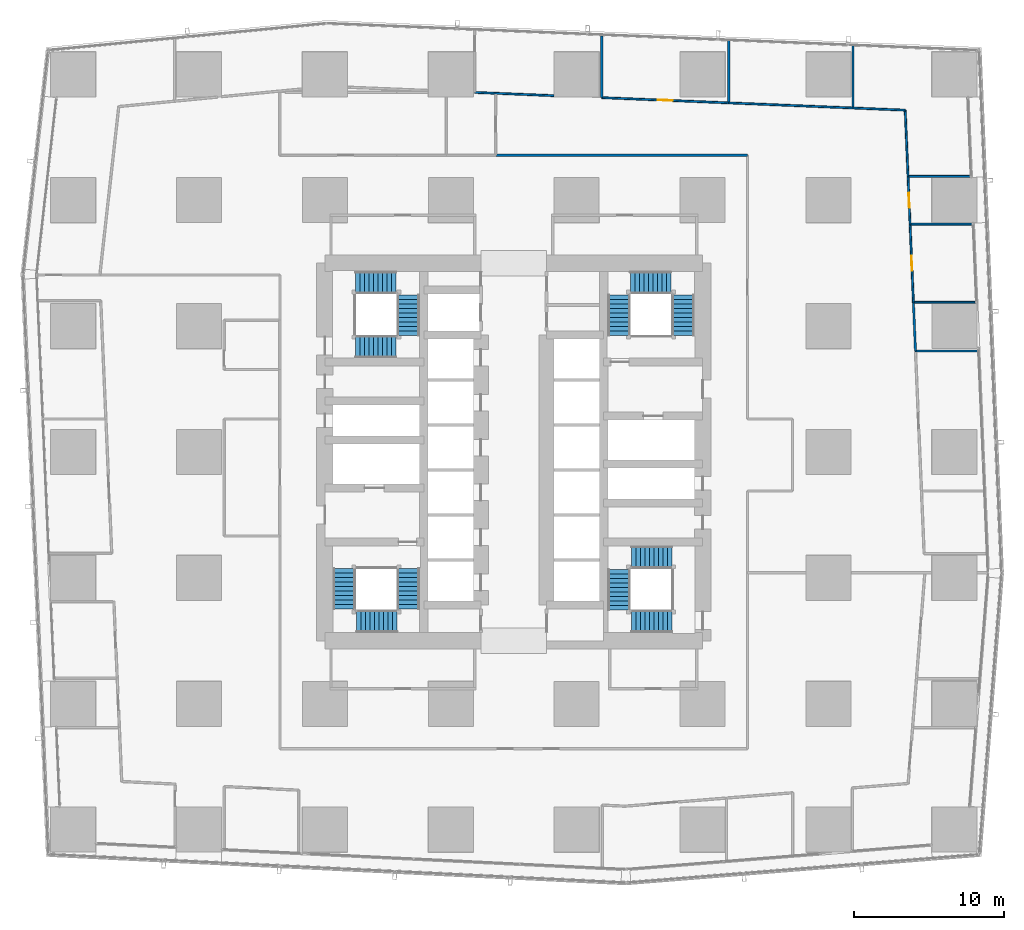
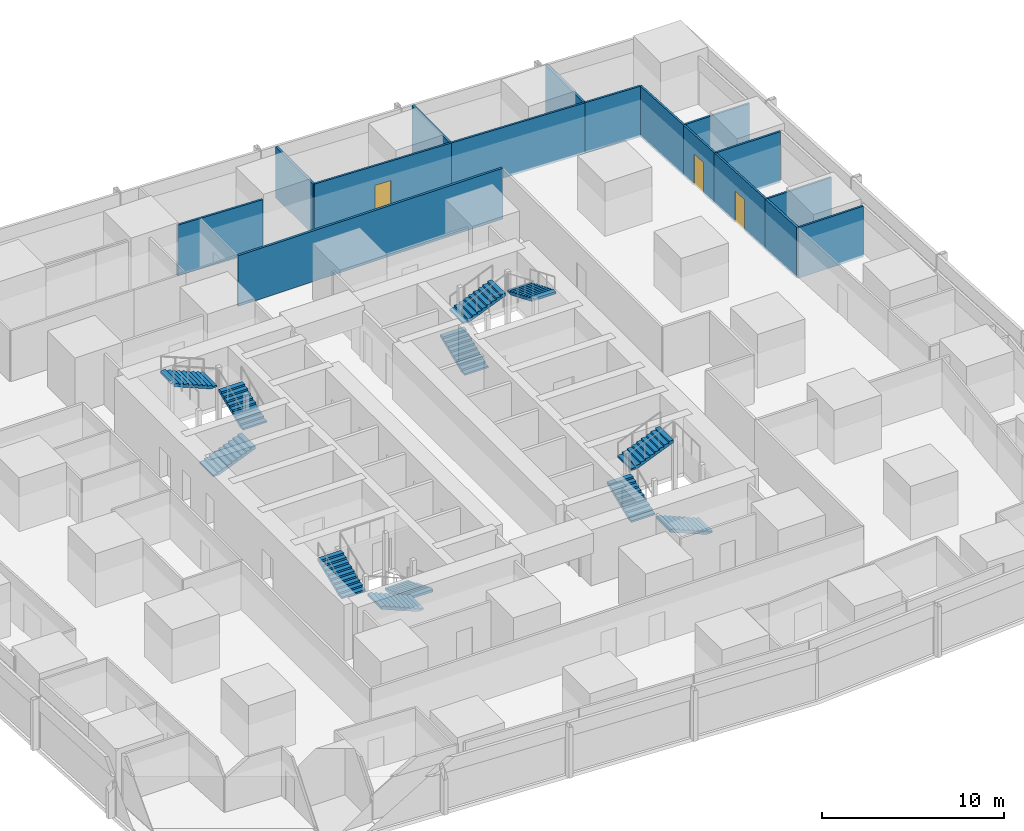
# One storey, part 35 of 44: 16 walls, 12 stair flights, 3 doors, 3 openings, 4 elements without a shape of their own.
"""IFC4 building model written with IfcOpenShell, lengths in metres."""

from ifc_helpers import new_model, si_unit, direction, frame, frame_2d, origin, place, context, subcontext, project, spatial, polyline, rectangle, outline, extrude, material, layer, layer_set, type_object, element, fill, aggregate, save


model = new_model("IFC4")

# Units and contexts
model_context = context("Model", 3, precision=1e-05, world=origin(), true_north=direction((0.0, 1.0)))
body_context = subcontext(model_context, "Body", "Model", "MODEL_VIEW")
ifc_project = project(units=[si_unit("LENGTHUNIT", "METRE"), si_unit("AREAUNIT", "SQUARE_METRE"), si_unit("VOLUMEUNIT", "CUBIC_METRE"), si_unit("PLANEANGLEUNIT", "RADIAN"), si_unit("MASSUNIT", "GRAM", prefix="KILO")], contexts=[model_context])

# Site, building, storey
site_placement = place(None, origin())
site = spatial("IfcSite", under=ifc_project, at=site_placement, CompositionType="ELEMENT")
building_placement = place(site_placement, origin())
building = spatial("IfcBuilding", under=site, at=building_placement, Name="Rekha Terrace Tower", CompositionType="ELEMENT")
storey_placement = place(building_placement, frame((0.0, 0.0, 81.64990234375)))
storey = spatial("IfcBuildingStorey", under=building, at=storey_placement, Name="L20", CompositionType="ELEMENT", Elevation=81.64990234375)

# Walls
ifc_material_1 = material(Name="Concrete block masonry, 1 hour", Category="masonry")
ifc_layer_1 = layer(ifc_material_1, 0.14990234375)
ifc_layer_set_1 = layer_set([ifc_layer_1], Name="Concrete block masonry, 1 hour")
wall_type_1 = type_object("IfcWallType", Name="WP2 150 tenancy partition", PredefinedType="PARTITIONING", material=ifc_layer_set_1)
wall_1_placement = place(storey_placement, frame((64.464111328125, 43.555908203125, 0.0), z_axis=(0.0, 0.0, 1.0), x_axis=(0.042509888652, -0.999096046117, 0.0)))
element("IfcWall", 1, at=wall_1_placement, inside=storey, type_object=wall_type_1, Name="Partition L20-O1", PredefinedType="PARTITIONING", context=body_context, shape_type="SweptSolid", body=[
    extrude(rectangle(XDim=3.221923828125, YDim=0.14990234375, at=frame_2d((1.61083984375, 0.0))), origin(), (0.0, 0.0, 1.0), 3.400146484375),
])
wall_2_placement = place(storey_placement, frame((53.39990234375, 53.39990234375, 0.0), z_axis=(0.0, 0.0, 1.0), x_axis=(-1.0, 0.0, 0.0)))
element("IfcWall", 2, at=wall_2_placement, inside=storey, type_object=wall_type_1, Name="Partition L20-O1", PredefinedType="PARTITIONING", context=body_context, shape_type="SweptSolid", body=[
    extrude(rectangle(XDim=16.7998046875, YDim=0.14990234375, at=frame_2d((8.39990234375, 0.0))), origin(), (0.0, 0.0, 1.0), 3.400146484375),
])
wall_3_placement = place(storey_placement, frame((43.672119140625, 57.239990234375, 0.0), z_axis=(0.0, 0.0, 1.0), x_axis=(0.0, 1.0, 0.0)))
element("IfcWall", 3, at=wall_3_placement, inside=storey, type_object=wall_type_1, Name="Partition L20-O1", PredefinedType="PARTITIONING", context=body_context, shape_type="SweptSolid", body=[
    extrude(rectangle(XDim=4.1240234375, YDim=0.14990234375, at=frame_2d((2.06201171875, 0.0))), origin(), (0.0, 0.0, 1.0), 3.400146484375),
])
wall_4_placement = place(storey_placement, frame((52.14404296875, 56.9541015625, 0.0), z_axis=(0.0, 0.0, 1.0), x_axis=(0.0, 1.0, 0.0)))
element("IfcWall", 4, at=wall_4_placement, inside=storey, type_object=wall_type_1, Name="Partition L20-O1", PredefinedType="PARTITIONING", context=body_context, shape_type="SweptSolid", body=[
    extrude(rectangle(XDim=4.08984375, YDim=0.14990234375, at=frame_2d((2.044921875, 0.0))), origin(), (0.0, 0.0, 1.0), 3.400146484375),
])
wall_5_placement = place(storey_placement, frame((60.43701171875, 56.612060546875, 0.0), z_axis=(0.0, 0.0, 1.0), x_axis=(0.0, 1.0, 0.0)))
element("IfcWall", 5, at=wall_5_placement, inside=storey, type_object=wall_type_1, Name="Partition L20-O1", PredefinedType="PARTITIONING", context=body_context, shape_type="SweptSolid", body=[
    extrude(rectangle(XDim=4.0908203125, YDim=0.14990234375, at=frame_2d((2.04541015625, 0.0))), origin(), (0.0, 0.0, 1.0), 3.400146484375),
])
ifc_material_2 = material(Name="Two layers of fire-rated gypsum board each side on steel studs, acoustic quilt, 1 hour", Category="steel")
ifc_layer_2 = layer(ifc_material_2, 0.125)
ifc_layer_set_2 = layer_set([ifc_layer_2], Name="Two layers of fire-rated gypsum board each side on steel studs, acoustic quilt, 1 hour")
wall_type_2 = type_object("IfcWallType", Name="WP3 125 office partition", PredefinedType="PARTITIONING", material=ifc_layer_set_2)
wall_6_placement = place(storey_placement, frame((64.60107421875, 40.3359375, 0.0), z_axis=(0.0, 0.0, 1.0), x_axis=(1.0, 0.0, 0.0)))
element("IfcWall", 6, at=wall_6_placement, inside=storey, type_object=wall_type_2, Name="Partition L20-02", PredefinedType="PARTITIONING", context=body_context, shape_type="SweptSolid", body=[
    extrude(rectangle(XDim=4.1240234375, YDim=0.125, at=frame_2d((2.06201171875, 0.0))), origin(), (0.0, 0.0, 1.0), 3.400146484375),
])

# Wall, opening, door
wall_7_placement = place(storey_placement, frame((64.464111328125, 43.556884765625, 0.0), z_axis=(0.0, 0.0, 1.0), x_axis=(-0.042868225882, 0.999080735081, 0.0)))
wall_7 = element("IfcWall", 7, at=wall_7_placement, inside=storey, type_object=wall_type_2, Name="Partition L20-04", PredefinedType="PARTITIONING", context=body_context, shape_type="SweptSolid", body=[
    extrude(rectangle(XDim=5.2509765625, YDim=0.125, at=frame_2d((2.62548828125, 0.0))), origin(), (0.0, 0.0, 1.0), 3.400146484375),
])
opening_1_placement = place(wall_7_placement, frame((2.125, 0.0, 0.0)))
opening_1 = element("IfcOpeningElement", 8, at=opening_1_placement, cuts=wall_7, Name="Opening D9", PredefinedType="OPENING", context=body_context, shape_type="SweptSolid", body=[
    extrude(rectangle(XDim=1.0, YDim=2.10009765625, at=frame_2d((0.5, 1.050048828125))), frame((0.0, 0.072509765625, 0.0), z_axis=(0.0, -1.0, 0.0), x_axis=(1.0, 0.0, 0.0)), (0.0, 0.0, 1.0), 0.14501953125),
])
ifc_material_3 = material(Name="Timber fire door", Category="wood")
door_type = type_object("IfcDoorType", Name="D9 1000x2100 office door", OperationType="SINGLE_SWING_LEFT", PredefinedType="DOOR", material=ifc_material_3)
door_1_placement = place(opening_1_placement, origin())
door_1 = element("IfcDoor", 9, at=door_1_placement, inside=storey, type_object=door_type, Name="Door office L20", OperationType="SINGLE_SWING_LEFT", OverallHeight=2.10009765625, OverallWidth=1.0, PredefinedType="DOOR", context=body_context, shape_type="SweptSolid", body=[
    extrude(rectangle(XDim=1.0, YDim=2.10009765625, at=frame_2d((0.5, 1.050048828125))), frame((0.0, 0.02490234375, 0.0), z_axis=(0.0, -1.0, 0.0), x_axis=(1.0, 0.0, 0.0)), (0.0, 0.0, 1.0), 0.050048828125),
])
fill(opening_1, door_1)

# Walls
wall_8_placement = place(storey_placement, frame((64.239013671875, 48.802978515625, 0.0), z_axis=(0.0, 0.0, 1.0), x_axis=(1.0, 0.0, 0.0)))
element("IfcWall", 10, at=wall_8_placement, inside=storey, type_object=wall_type_2, Name="Partition L20-04", PredefinedType="PARTITIONING", context=body_context, shape_type="SweptSolid", body=[
    extrude(rectangle(XDim=4.1240234375, YDim=0.125, at=frame_2d((2.06201171875, 0.0))), origin(), (0.0, 0.0, 1.0), 3.400146484375),
])
wall_9_placement = place(storey_placement, frame((68.5859375, 43.593017578125, 0.0), z_axis=(0.0, 0.0, 1.0), x_axis=(-1.0, 0.0, 0.0)))
element("IfcWall", 11, at=wall_9_placement, inside=storey, type_object=wall_type_2, Name="Partition L20-04", PredefinedType="PARTITIONING", context=body_context, shape_type="SweptSolid", body=[
    extrude(rectangle(XDim=4.06103515625, YDim=0.125, at=frame_2d((2.030517578125, 0.0))), origin(), (0.0, 0.0, 1.0), 3.400146484375),
])

# Wall, opening, door
wall_10_placement = place(storey_placement, frame((64.239013671875, 48.803955078125, 0.0), z_axis=(0.0, 0.0, 1.0), x_axis=(-0.042483490494, 0.999097168966, 0.0)))
wall_10 = element("IfcWall", 12, at=wall_10_placement, inside=storey, type_object=wall_type_2, Name="Partition L20-05", PredefinedType="PARTITIONING", context=body_context, shape_type="SweptSolid", body=[
    extrude(rectangle(XDim=3.155029296875, YDim=0.125, at=frame_2d((1.57763671875, 0.0))), origin(), (0.0, 0.0, 1.0), 3.400146484375),
])
opening_2_placement = place(wall_10_placement, frame((1.076904296875, 0.0, 0.0)))
opening_2 = element("IfcOpeningElement", 13, at=opening_2_placement, cuts=wall_10, Name="Opening D9", PredefinedType="OPENING", context=body_context, shape_type="SweptSolid", body=[
    extrude(rectangle(XDim=1.0, YDim=2.10009765625, at=frame_2d((0.5, 1.050048828125))), frame((0.0, 0.072509765625, 0.0), z_axis=(0.0, -1.0, 0.0), x_axis=(1.0, 0.0, 0.0)), (0.0, 0.0, 1.0), 0.14501953125),
])
door_2_placement = place(opening_2_placement, origin())
door_2 = element("IfcDoor", 14, at=door_2_placement, inside=storey, type_object=door_type, Name="Door office L20", OperationType="SINGLE_SWING_LEFT", OverallHeight=2.10009765625, OverallWidth=1.0, PredefinedType="DOOR", context=body_context, shape_type="SweptSolid", body=[
    extrude(rectangle(XDim=1.0, YDim=2.10009765625, at=frame_2d((0.5, 1.050048828125))), frame((0.0, 0.02490234375, 0.0), z_axis=(0.0, -1.0, 0.0), x_axis=(1.0, 0.0, 0.0)), (0.0, 0.0, 1.0), 0.050048828125),
])
fill(opening_2, door_2)

# Walls
wall_11_placement = place(storey_placement, frame((64.166015625, 51.991943359375, 0.0), z_axis=(0.0, 0.0, 1.0), x_axis=(1.0, 0.0, 0.0)))
element("IfcWall", 15, at=wall_11_placement, inside=storey, type_object=wall_type_2, Name="Partition L20-05", PredefinedType="PARTITIONING", context=body_context, shape_type="SweptSolid", body=[
    extrude(rectangle(XDim=4.06103515625, YDim=0.125, at=frame_2d((2.030517578125, 0.0))), origin(), (0.0, 0.0, 1.0), 3.400146484375),
])
wall_12_placement = place(storey_placement, frame((64.10498046875, 51.95703125, 0.0), z_axis=(0.0, 0.0, 1.0), x_axis=(-0.042654443866, 0.999089885055, 0.0)))
element("IfcWall", 16, at=wall_12_placement, inside=storey, type_object=wall_type_2, Name="Partition L20-06", PredefinedType="PARTITIONING", context=body_context, shape_type="SweptSolid", body=[
    extrude(rectangle(XDim=4.453125, YDim=0.125, at=frame_2d((2.2265625, 0.0))), origin(), (0.0, 0.0, 1.0), 3.400146484375),
])
wall_13_placement = place(storey_placement, frame((63.9150390625, 56.406005859375, 0.0), z_axis=(0.0, 0.0, 1.0), x_axis=(-0.999154106016, 0.041122651083, 0.0)))
element("IfcWall", 17, at=wall_13_placement, inside=storey, type_object=wall_type_2, Name="Partition L20-06", PredefinedType="PARTITIONING", context=body_context, shape_type="SweptSolid", body=[
    extrude(rectangle(XDim=3.47900390625, YDim=0.125, at=frame_2d((1.739501953125, 0.0))), origin(), (0.0, 0.0, 1.0), 3.400146484375),
])
wall_14_placement = place(storey_placement, frame((60.43896484375, 56.549072265625, 0.0), z_axis=(0.0, 0.0, 1.0), x_axis=(-0.999150520973, 0.041209664387, 0.0)))
element("IfcWall", 18, at=wall_14_placement, inside=storey, type_object=wall_type_2, Name="Partition L20-06", PredefinedType="PARTITIONING", context=body_context, shape_type="SweptSolid", body=[
    extrude(rectangle(XDim=8.300048828125, YDim=0.125, at=frame_2d((4.14990234375, 0.0))), origin(), (0.0, 0.0, 1.0), 3.400146484375),
])

# Wall, opening, door
wall_15_placement = place(storey_placement, frame((52.14599609375, 56.89111328125, 0.0), z_axis=(0.0, 0.0, 1.0), x_axis=(-0.999153165495, 0.041145496484, 0.0)))
wall_15 = element("IfcWall", 19, at=wall_15_placement, inside=storey, type_object=wall_type_2, Name="Partition L20-06", PredefinedType="PARTITIONING", context=body_context, shape_type="SweptSolid", body=[
    extrude(rectangle(XDim=8.47900390625, YDim=0.125, at=frame_2d((4.239501953125, 0.0))), origin(), (0.0, 0.0, 1.0), 3.400146484375),
])
opening_3_placement = place(wall_15_placement, frame((3.739990234375, 0.0, 0.0)))
opening_3 = element("IfcOpeningElement", 20, at=opening_3_placement, cuts=wall_15, Name="Opening D9", PredefinedType="OPENING", context=body_context, shape_type="SweptSolid", body=[
    extrude(rectangle(XDim=1.0, YDim=2.10009765625, at=frame_2d((0.5, 1.050048828125))), frame((0.0, 0.072509765625, 0.0), z_axis=(0.0, -1.0, 0.0), x_axis=(1.0, 0.0, 0.0)), (0.0, 0.0, 1.0), 0.14501953125),
])
door_3_placement = place(opening_3_placement, origin())
door_3 = element("IfcDoor", 21, at=door_3_placement, inside=storey, type_object=door_type, Name="Door office L20", OperationType="SINGLE_SWING_LEFT", OverallHeight=2.10009765625, OverallWidth=1.0, PredefinedType="DOOR", context=body_context, shape_type="SweptSolid", body=[
    extrude(rectangle(XDim=1.0, YDim=2.10009765625, at=frame_2d((0.5, 1.050048828125))), frame((0.0, 0.02490234375, 0.0), z_axis=(0.0, -1.0, 0.0), x_axis=(1.0, 0.0, 0.0)), (0.0, 0.0, 1.0), 0.050048828125),
])
fill(opening_3, door_3)

# Wall
wall_16_placement = place(storey_placement, frame((40.47998046875, 57.37109375, 0.0), z_axis=(0.0, 0.0, 1.0), x_axis=(-0.99914861605, 0.041255824392, 0.0)))
element("IfcWall", 22, at=wall_16_placement, inside=storey, type_object=wall_type_2, Name="Partition L20-06", PredefinedType="PARTITIONING", context=body_context, shape_type="SweptSolid", body=[
    extrude(rectangle(XDim=5.284423828125, YDim=0.125, at=frame_2d((2.64208984375, 0.0))), origin(), (0.0, 0.0, 1.0), 3.400146484375),
])

# Stair, stair flights
ifc_material_4 = material(Name="Concrete M40", Category="concrete")
stair_type = type_object("IfcStairType", Name="ST30 stair, 30 risers of 125, going 300, 1500 wide flights, 3 flights", PredefinedType="HALF_TURN_STAIR", material=ifc_material_4)
stair_1_placement = place(storey_placement, origin())
stair_1 = element("IfcStair", 23, at=stair_1_placement, inside=storey, type_object=stair_type, Name="Stair ST1 L20 to L21", PredefinedType="HALF_TURN_STAIR")
stair_flight_type = type_object("IfcStairFlightType", Name="SF10 stair flight, 10 risers of 125, going 300, 1500 wide", PredefinedType="STRAIGHT", material=ifc_material_4)
stair_flight_1_placement = place(storey_placement, frame((30.77490234375, 25.824951171875, 0.0), z_axis=(0.0, 0.0, 1.0), x_axis=(0.0, -1.0, 0.0)))
stair_flight_1 = element("IfcStairFlight", 24, at=stair_flight_1_placement, type_object=stair_flight_type, Name="ST1 flight 1", NumberOfRisers=10, NumberOfTreads=9, PredefinedType="STRAIGHT", RiserHeight=0.125, TreadLength=0.3, context=body_context, shape_type="SweptSolid", body=[
    extrude(outline(polyline([(0.0, 0.0), (0.0, 0.125), (0.300048828125, 0.125), (0.300048828125, 0.25), (0.60009765625, 0.25), (0.60009765625, 0.375), (0.89990234375, 0.375), (0.89990234375, 0.5), (1.199951171875, 0.5), (1.199951171875, 0.625), (1.5, 0.625), (1.5, 0.75), (1.800048828125, 0.75), (1.800048828125, 0.875), (2.10009765625, 0.875), (2.10009765625, 1.0), (2.39990234375, 1.0), (2.39990234375, 1.125), (2.699951171875, 1.125), (2.699951171875, 1.25), (2.699951171875, 0.962646484375), (0.3896484375, 0.0), (0.0, 0.0)])), frame((0.0, 0.75, 0.0), z_axis=(0.0, -1.0, 0.0), x_axis=(1.0, 0.0, 0.0)), (0.0, 0.0, 1.0), 1.5),
])
stair_flight_2_placement = place(storey_placement, frame((30.02490234375, 22.300048828125, 1.25), z_axis=(0.0, 0.0, 1.0), x_axis=(-1.0, 0.0, 0.0)))
stair_flight_2 = element("IfcStairFlight", 25, at=stair_flight_2_placement, type_object=stair_flight_type, Name="ST1 flight 2", NumberOfRisers=10, NumberOfTreads=9, PredefinedType="STRAIGHT", RiserHeight=0.125, TreadLength=0.3, context=body_context, shape_type="SweptSolid", body=[
    extrude(outline(polyline([(0.0, 0.0), (0.0, 0.125), (0.300048828125, 0.125), (0.300048828125, 0.25), (0.60009765625, 0.25), (0.60009765625, 0.375), (0.89990234375, 0.375), (0.89990234375, 0.5), (1.199951171875, 0.5), (1.199951171875, 0.625), (1.5, 0.625), (1.5, 0.75), (1.800048828125, 0.75), (1.800048828125, 0.875), (2.10009765625, 0.875), (2.10009765625, 1.0), (2.39990234375, 1.0), (2.39990234375, 1.125), (2.699951171875, 1.125), (2.699951171875, 1.25), (2.699951171875, 0.962646484375), (0.3896484375, 0.0), (0.0, 0.0)])), frame((0.0, 0.75, 0.0), z_axis=(0.0, -1.0, 0.0), x_axis=(1.0, 0.0, 0.0)), (0.0, 0.0, 1.0), 1.5),
])
stair_flight_3_placement = place(storey_placement, frame((26.5, 23.125, 2.5), z_axis=(0.0, 0.0, 1.0), x_axis=(0.0, 1.0, 0.0)))
stair_flight_3 = element("IfcStairFlight", 26, at=stair_flight_3_placement, type_object=stair_flight_type, Name="ST1 flight 3", NumberOfRisers=10, NumberOfTreads=9, PredefinedType="STRAIGHT", RiserHeight=0.125, TreadLength=0.3, context=body_context, shape_type="SweptSolid", body=[
    extrude(outline(polyline([(0.0, 0.0), (0.0, 0.125), (0.300048828125, 0.125), (0.300048828125, 0.25), (0.60009765625, 0.25), (0.60009765625, 0.375), (0.89990234375, 0.375), (0.89990234375, 0.5), (1.199951171875, 0.5), (1.199951171875, 0.625), (1.5, 0.625), (1.5, 0.75), (1.800048828125, 0.75), (1.800048828125, 0.875), (2.10009765625, 0.875), (2.10009765625, 1.0), (2.39990234375, 1.0), (2.39990234375, 1.125), (2.699951171875, 1.125), (2.699951171875, 1.25), (2.699951171875, 0.962646484375), (0.3896484375, 0.0), (0.0, 0.0)])), frame((0.0, 0.75, 0.0), z_axis=(0.0, -1.0, 0.0), x_axis=(1.0, 0.0, 0.0)), (0.0, 0.0, 1.0), 1.5),
])
aggregate(stair_1, [stair_flight_1, stair_flight_2, stair_flight_3])

stair_2_placement = place(storey_placement, origin())
stair_2 = element("IfcStair", 27, at=stair_2_placement, inside=storey, type_object=stair_type, Name="Stair ST2 L20 to L21", PredefinedType="HALF_TURN_STAIR")
stair_flight_4_placement = place(storey_placement, frame((44.824951171875, 41.375, 0.0), z_axis=(0.0, 0.0, 1.0), x_axis=(0.0, 1.0, 0.0)))
stair_flight_4 = element("IfcStairFlight", 28, at=stair_flight_4_placement, type_object=stair_flight_type, Name="ST2 flight 1", NumberOfRisers=10, NumberOfTreads=9, PredefinedType="STRAIGHT", RiserHeight=0.125, TreadLength=0.3, context=body_context, shape_type="SweptSolid", body=[
    extrude(outline(polyline([(0.0, 0.0), (0.0, 0.125), (0.300048828125, 0.125), (0.300048828125, 0.25), (0.60009765625, 0.25), (0.60009765625, 0.375), (0.89990234375, 0.375), (0.89990234375, 0.5), (1.199951171875, 0.5), (1.199951171875, 0.625), (1.5, 0.625), (1.5, 0.75), (1.800048828125, 0.75), (1.800048828125, 0.875), (2.10009765625, 0.875), (2.10009765625, 1.0), (2.39990234375, 1.0), (2.39990234375, 1.125), (2.699951171875, 1.125), (2.699951171875, 1.25), (2.699951171875, 0.962646484375), (0.3896484375, 0.0), (0.0, 0.0)])), frame((0.0, 0.75, 0.0), z_axis=(0.0, -1.0, 0.0), x_axis=(1.0, 0.0, 0.0)), (0.0, 0.0, 1.0), 1.5),
])
stair_flight_5_placement = place(storey_placement, frame((45.574951171875, 44.89990234375, 1.25), z_axis=(0.0, 0.0, 1.0), x_axis=(1.0, 0.0, 0.0)))
stair_flight_5 = element("IfcStairFlight", 29, at=stair_flight_5_placement, type_object=stair_flight_type, Name="ST2 flight 2", NumberOfRisers=10, NumberOfTreads=9, PredefinedType="STRAIGHT", RiserHeight=0.125, TreadLength=0.3, context=body_context, shape_type="SweptSolid", body=[
    extrude(outline(polyline([(0.0, 0.0), (0.0, 0.125), (0.300048828125, 0.125), (0.300048828125, 0.25), (0.60009765625, 0.25), (0.60009765625, 0.375), (0.89990234375, 0.375), (0.89990234375, 0.5), (1.199951171875, 0.5), (1.199951171875, 0.625), (1.5, 0.625), (1.5, 0.75), (1.800048828125, 0.75), (1.800048828125, 0.875), (2.10009765625, 0.875), (2.10009765625, 1.0), (2.39990234375, 1.0), (2.39990234375, 1.125), (2.699951171875, 1.125), (2.699951171875, 1.25), (2.699951171875, 0.962646484375), (0.3896484375, 0.0), (0.0, 0.0)])), frame((0.0, 0.75, 0.0), z_axis=(0.0, -1.0, 0.0), x_axis=(1.0, 0.0, 0.0)), (0.0, 0.0, 1.0), 1.5),
])
stair_flight_6_placement = place(storey_placement, frame((49.10009765625, 44.074951171875, 2.5), z_axis=(0.0, 0.0, 1.0), x_axis=(0.0, -1.0, 0.0)))
stair_flight_6 = element("IfcStairFlight", 30, at=stair_flight_6_placement, type_object=stair_flight_type, Name="ST2 flight 3", NumberOfRisers=10, NumberOfTreads=9, PredefinedType="STRAIGHT", RiserHeight=0.125, TreadLength=0.3, context=body_context, shape_type="SweptSolid", body=[
    extrude(outline(polyline([(0.0, 0.0), (0.0, 0.125), (0.300048828125, 0.125), (0.300048828125, 0.25), (0.60009765625, 0.25), (0.60009765625, 0.375), (0.89990234375, 0.375), (0.89990234375, 0.5), (1.199951171875, 0.5), (1.199951171875, 0.625), (1.5, 0.625), (1.5, 0.75), (1.800048828125, 0.75), (1.800048828125, 0.875), (2.10009765625, 0.875), (2.10009765625, 1.0), (2.39990234375, 1.0), (2.39990234375, 1.125), (2.699951171875, 1.125), (2.699951171875, 1.25), (2.699951171875, 0.962646484375), (0.3896484375, 0.0), (0.0, 0.0)])), frame((0.0, 0.75, 0.0), z_axis=(0.0, -1.0, 0.0), x_axis=(1.0, 0.0, 0.0)), (0.0, 0.0, 1.0), 1.5),
])
aggregate(stair_2, [stair_flight_4, stair_flight_5, stair_flight_6])

stair_3_placement = place(storey_placement, origin())
stair_3 = element("IfcStair", 31, at=stair_3_placement, inside=storey, type_object=stair_type, Name="Stair ST3 L20 to L21", PredefinedType="HALF_TURN_STAIR")
stair_flight_7_placement = place(storey_placement, frame((48.35009765625, 22.300048828125, 0.0), z_axis=(0.0, 0.0, 1.0), x_axis=(-1.0, 0.0, 0.0)))
stair_flight_7 = element("IfcStairFlight", 32, at=stair_flight_7_placement, type_object=stair_flight_type, Name="ST3 flight 1", NumberOfRisers=10, NumberOfTreads=9, PredefinedType="STRAIGHT", RiserHeight=0.125, TreadLength=0.3, context=body_context, shape_type="SweptSolid", body=[
    extrude(outline(polyline([(0.0, 0.0), (0.0, 0.125), (0.300048828125, 0.125), (0.300048828125, 0.25), (0.60009765625, 0.25), (0.60009765625, 0.375), (0.89990234375, 0.375), (0.89990234375, 0.5), (1.199951171875, 0.5), (1.199951171875, 0.625), (1.5, 0.625), (1.5, 0.75), (1.800048828125, 0.75), (1.800048828125, 0.875), (2.10009765625, 0.875), (2.10009765625, 1.0), (2.39990234375, 1.0), (2.39990234375, 1.125), (2.699951171875, 1.125), (2.699951171875, 1.25), (2.699951171875, 0.962646484375), (0.3896484375, 0.0), (0.0, 0.0)])), frame((0.0, 0.75, 0.0), z_axis=(0.0, -1.0, 0.0), x_axis=(1.0, 0.0, 0.0)), (0.0, 0.0, 1.0), 1.5),
])
stair_flight_8_placement = place(storey_placement, frame((44.824951171875, 23.050048828125, 1.25), z_axis=(0.0, 0.0, 1.0), x_axis=(0.0, 1.0, 0.0)))
stair_flight_8 = element("IfcStairFlight", 33, at=stair_flight_8_placement, type_object=stair_flight_type, Name="ST3 flight 2", NumberOfRisers=10, NumberOfTreads=9, PredefinedType="STRAIGHT", RiserHeight=0.125, TreadLength=0.3, context=body_context, shape_type="SweptSolid", body=[
    extrude(outline(polyline([(0.0, 0.0), (0.0, 0.125), (0.300048828125, 0.125), (0.300048828125, 0.25), (0.60009765625, 0.25), (0.60009765625, 0.375), (0.89990234375, 0.375), (0.89990234375, 0.5), (1.199951171875, 0.5), (1.199951171875, 0.625), (1.5, 0.625), (1.5, 0.75), (1.800048828125, 0.75), (1.800048828125, 0.875), (2.10009765625, 0.875), (2.10009765625, 1.0), (2.39990234375, 1.0), (2.39990234375, 1.125), (2.699951171875, 1.125), (2.699951171875, 1.25), (2.699951171875, 0.962646484375), (0.3896484375, 0.0), (0.0, 0.0)])), frame((0.0, 0.75, 0.0), z_axis=(0.0, -1.0, 0.0), x_axis=(1.0, 0.0, 0.0)), (0.0, 0.0, 1.0), 1.5),
])
stair_flight_9_placement = place(storey_placement, frame((45.64990234375, 26.574951171875, 2.5), z_axis=(0.0, 0.0, 1.0), x_axis=(1.0, 0.0, 0.0)))
stair_flight_9 = element("IfcStairFlight", 34, at=stair_flight_9_placement, type_object=stair_flight_type, Name="ST3 flight 3", NumberOfRisers=10, NumberOfTreads=9, PredefinedType="STRAIGHT", RiserHeight=0.125, TreadLength=0.3, context=body_context, shape_type="SweptSolid", body=[
    extrude(outline(polyline([(0.0, 0.0), (0.0, 0.125), (0.300048828125, 0.125), (0.300048828125, 0.25), (0.60009765625, 0.25), (0.60009765625, 0.375), (0.89990234375, 0.375), (0.89990234375, 0.5), (1.199951171875, 0.5), (1.199951171875, 0.625), (1.5, 0.625), (1.5, 0.75), (1.800048828125, 0.75), (1.800048828125, 0.875), (2.10009765625, 0.875), (2.10009765625, 1.0), (2.39990234375, 1.0), (2.39990234375, 1.125), (2.699951171875, 1.125), (2.699951171875, 1.25), (2.699951171875, 0.962646484375), (0.3896484375, 0.0), (0.0, 0.0)])), frame((0.0, 0.75, 0.0), z_axis=(0.0, -1.0, 0.0), x_axis=(1.0, 0.0, 0.0)), (0.0, 0.0, 1.0), 1.5),
])
aggregate(stair_3, [stair_flight_7, stair_flight_8, stair_flight_9])

stair_4_placement = place(storey_placement, origin())
stair_4 = element("IfcStair", 35, at=stair_4_placement, inside=storey, type_object=stair_type, Name="Stair ST4 L20 to L21", PredefinedType="HALF_TURN_STAIR")
stair_flight_10_placement = place(storey_placement, frame((27.25, 40.625, 0.0), z_axis=(0.0, 0.0, 1.0), x_axis=(1.0, 0.0, 0.0)))
stair_flight_10 = element("IfcStairFlight", 36, at=stair_flight_10_placement, type_object=stair_flight_type, Name="ST4 flight 1", NumberOfRisers=10, NumberOfTreads=9, PredefinedType="STRAIGHT", RiserHeight=0.125, TreadLength=0.3, context=body_context, shape_type="SweptSolid", body=[
    extrude(outline(polyline([(0.0, 0.0), (0.0, 0.125), (0.300048828125, 0.125), (0.300048828125, 0.25), (0.60009765625, 0.25), (0.60009765625, 0.375), (0.89990234375, 0.375), (0.89990234375, 0.5), (1.199951171875, 0.5), (1.199951171875, 0.625), (1.5, 0.625), (1.5, 0.75), (1.800048828125, 0.75), (1.800048828125, 0.875), (2.10009765625, 0.875), (2.10009765625, 1.0), (2.39990234375, 1.0), (2.39990234375, 1.125), (2.699951171875, 1.125), (2.699951171875, 1.25), (2.699951171875, 0.962646484375), (0.3896484375, 0.0), (0.0, 0.0)])), frame((0.0, 0.75, 0.0), z_axis=(0.0, -1.0, 0.0), x_axis=(1.0, 0.0, 0.0)), (0.0, 0.0, 1.0), 1.5),
])
stair_flight_11_placement = place(storey_placement, frame((30.77490234375, 41.375, 1.25), z_axis=(0.0, 0.0, 1.0), x_axis=(0.0, 1.0, 0.0)))
stair_flight_11 = element("IfcStairFlight", 37, at=stair_flight_11_placement, type_object=stair_flight_type, Name="ST4 flight 2", NumberOfRisers=10, NumberOfTreads=9, PredefinedType="STRAIGHT", RiserHeight=0.125, TreadLength=0.3, context=body_context, shape_type="SweptSolid", body=[
    extrude(outline(polyline([(0.0, 0.0), (0.0, 0.125), (0.300048828125, 0.125), (0.300048828125, 0.25), (0.60009765625, 0.25), (0.60009765625, 0.375), (0.89990234375, 0.375), (0.89990234375, 0.5), (1.199951171875, 0.5), (1.199951171875, 0.625), (1.5, 0.625), (1.5, 0.75), (1.800048828125, 0.75), (1.800048828125, 0.875), (2.10009765625, 0.875), (2.10009765625, 1.0), (2.39990234375, 1.0), (2.39990234375, 1.125), (2.699951171875, 1.125), (2.699951171875, 1.25), (2.699951171875, 0.962646484375), (0.3896484375, 0.0), (0.0, 0.0)])), frame((0.0, 0.75, 0.0), z_axis=(0.0, -1.0, 0.0), x_axis=(1.0, 0.0, 0.0)), (0.0, 0.0, 1.0), 1.5),
])
stair_flight_12_placement = place(storey_placement, frame((29.949951171875, 44.89990234375, 2.5), z_axis=(0.0, 0.0, 1.0), x_axis=(-1.0, 0.0, 0.0)))
stair_flight_12 = element("IfcStairFlight", 38, at=stair_flight_12_placement, type_object=stair_flight_type, Name="ST4 flight 3", NumberOfRisers=10, NumberOfTreads=9, PredefinedType="STRAIGHT", RiserHeight=0.125, TreadLength=0.3, context=body_context, shape_type="SweptSolid", body=[
    extrude(outline(polyline([(0.0, 0.0), (0.0, 0.125), (0.300048828125, 0.125), (0.300048828125, 0.25), (0.60009765625, 0.25), (0.60009765625, 0.375), (0.89990234375, 0.375), (0.89990234375, 0.5), (1.199951171875, 0.5), (1.199951171875, 0.625), (1.5, 0.625), (1.5, 0.75), (1.800048828125, 0.75), (1.800048828125, 0.875), (2.10009765625, 0.875), (2.10009765625, 1.0), (2.39990234375, 1.0), (2.39990234375, 1.125), (2.699951171875, 1.125), (2.699951171875, 1.25), (2.699951171875, 0.962646484375), (0.3896484375, 0.0), (0.0, 0.0)])), frame((0.0, 0.75, 0.0), z_axis=(0.0, -1.0, 0.0), x_axis=(1.0, 0.0, 0.0)), (0.0, 0.0, 1.0), 1.5),
])
aggregate(stair_4, [stair_flight_10, stair_flight_11, stair_flight_12])

save(model, "model.ifc")
